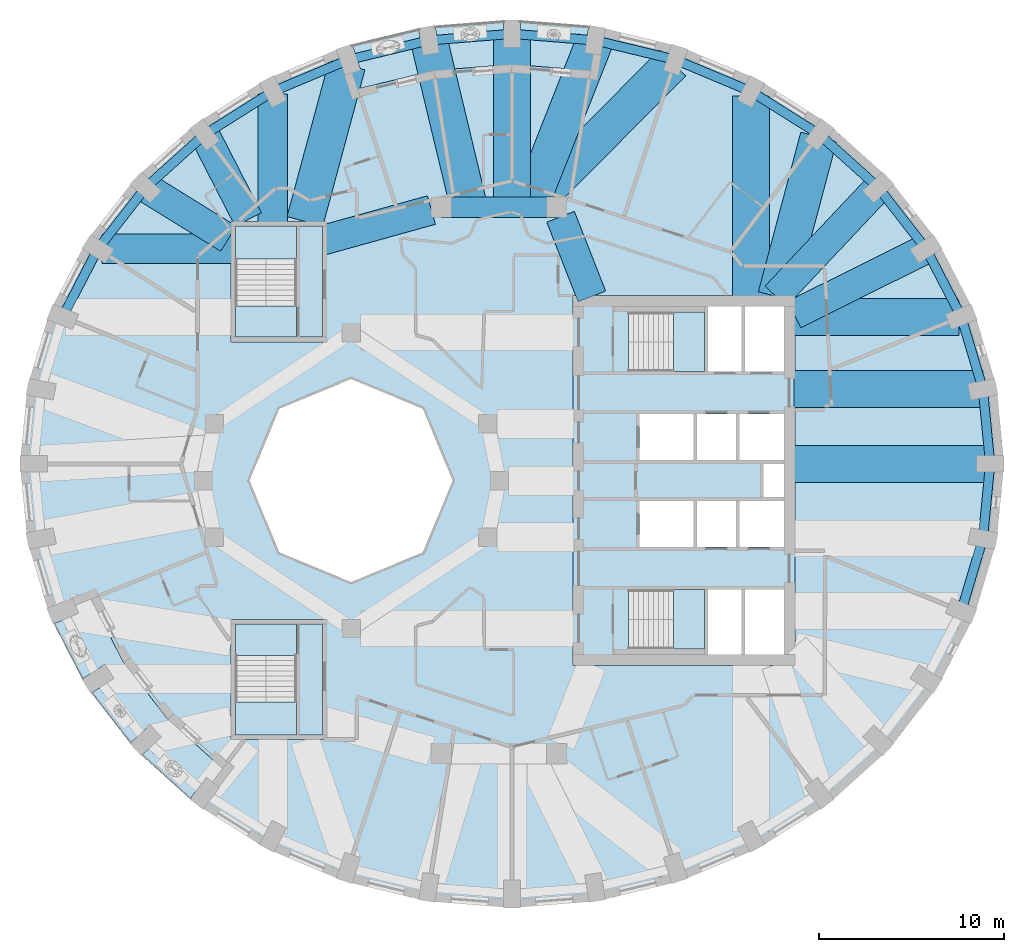
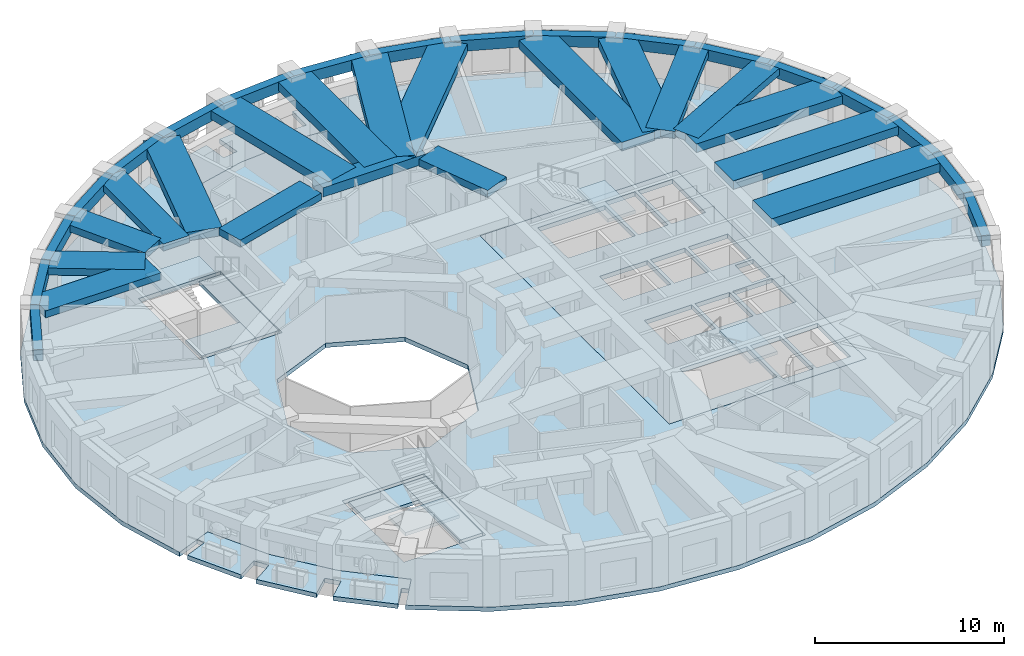
# One storey, part 2 of 12: 37 beams, 12 slabs, 4 elements without a shape of their own.
"""IFC4 building model written with IfcOpenShell, lengths in metres."""

from ifc_helpers import new_model, si_unit, direction, frame, origin, origin_2d, place, context, subcontext, project, spatial, polyline, rectangle, outline, extrude, material, layer, layer_set, material_profile, profile_set, type_object, element, aggregate, save


model = new_model("IFC4")

# Units and contexts
model_context = context("Model", 3, precision=1e-05, world=origin(), true_north=direction((0.0, 1.0)))
body_context = subcontext(model_context, "Body", "Model", "MODEL_VIEW")
ifc_project = project(units=[si_unit("LENGTHUNIT", "METRE"), si_unit("AREAUNIT", "SQUARE_METRE"), si_unit("VOLUMEUNIT", "CUBIC_METRE"), si_unit("PLANEANGLEUNIT", "RADIAN"), si_unit("MASSUNIT", "GRAM", prefix="KILO")], contexts=[model_context])

# Site, building, storey
site_placement = place(None, origin())
site = spatial("IfcSite", under=ifc_project, at=site_placement, CompositionType="ELEMENT")
building_placement = place(site_placement, origin())
building = spatial("IfcBuilding", under=site, at=building_placement, Name="Taillehof Tower", CompositionType="ELEMENT")
storey_placement = place(building_placement, frame((0.0, 0.0, 222.199951171875)))
storey = spatial("IfcBuildingStorey", under=building, at=storey_placement, Name="L63", CompositionType="ELEMENT", Elevation=222.199951171875)

# Beams
ifc_material_1 = material(Name="Concrete C50/60", Category="concrete")
ifc_material_profile_1 = material_profile(ifc_material_1, rectangle(XDim=1.10009765625, YDim=0.60009765625, at=origin_2d()), Name="RC 1100x600")
ifc_profile_set_1 = profile_set([ifc_material_profile_1], Name="Concrete C50/60")
beam_type_1 = type_object("IfcBeamType", Name="Mid-ring beam C50/60 1100x600", PredefinedType="BEAM", material=ifc_profile_set_1)
beam_1_placement = place(storey_placement, frame((3.125732421875, 14.772216796875, 2.719970703125), z_axis=(-1.0, 0.0, 0.0), x_axis=(0.0, -1.0, 0.0)))
element("IfcBeam", 1, at=beam_1_placement, inside=storey, type_object=beam_type_1, Name="Mid-ring beam MB01", PredefinedType="BEAM", context=body_context, shape_type="SweptSolid", body=[
    extrude(rectangle(XDim=1.10009765625, YDim=0.60009765625, at=origin_2d()), origin(), (0.0, 0.0, 1.0), 6.25146484375),
])
ifc_material_2 = material(Name="Concrete C50/60", Category="concrete")
ifc_material_profile_2 = material_profile(ifc_material_2, rectangle(XDim=1.60009765625, YDim=0.449951171875, at=origin_2d()), Name="RC 1600x450")
ifc_profile_set_2 = profile_set([ifc_material_profile_2], Name="Concrete C50/60")
beam_type_2 = type_object("IfcBeamType", Name="Radial band beam C50/60 1600x450", PredefinedType="BEAM", material=ifc_profile_set_2)
beam_2_placement = place(storey_placement, frame((23.086669921875, 12.52490234375, 2.795166015625), z_axis=(-0.895357082848, -0.445348957778, 0.0), x_axis=(0.445348957778, -0.895357082848, 0.0)))
element("IfcBeam", 2, at=beam_2_placement, inside=storey, type_object=beam_type_2, Name="Radial band beam RB04", PredefinedType="BEAM", context=body_context, shape_type="SweptSolid", body=[
    extrude(rectangle(XDim=1.60009765625, YDim=0.449951171875, at=origin_2d()), origin(), (0.0, 0.0, 1.0), 7.96484375),
])
beam_3_placement = place(storey_placement, frame((20.502197265625, 15.8447265625, 2.795166015625), z_axis=(-0.685451470964, -0.728118315217, 0.0), x_axis=(0.728118315217, -0.685451470964, 0.0)))
element("IfcBeam", 3, at=beam_3_placement, inside=storey, type_object=beam_type_2, Name="Radial band beam RB05", PredefinedType="BEAM", context=body_context, shape_type="SweptSolid", body=[
    extrude(rectangle(XDim=1.60009765625, YDim=0.449951171875, at=origin_2d()), origin(), (0.0, 0.0, 1.0), 8.07373046875),
])
beam_4_placement = place(storey_placement, frame((-12.22509765625, 20.9013671875, 2.795166015625), z_axis=(0.0, -1.0, 0.0), x_axis=(1.0, 0.0, 0.0)))
element("IfcBeam", 4, at=beam_4_placement, inside=storey, type_object=beam_type_2, Name="Radial band beam RB13", PredefinedType="BEAM", context=body_context, shape_type="SweptSolid", body=[
    extrude(rectangle(XDim=1.60009765625, YDim=0.449951171875, at=origin_2d()), origin(), (0.0, 0.0, 1.0), 6.951416015625),
])
beam_5_placement = place(storey_placement, frame((-15.916015625, 18.71044921875, 2.795166015625), z_axis=(0.456360793517, -0.889794822496, 0.0), x_axis=(0.889794822496, 0.456360793517, 0.0)))
element("IfcBeam", 5, at=beam_5_placement, inside=storey, type_object=beam_type_2, Name="Radial band beam RB14", PredefinedType="BEAM", context=body_context, shape_type="SweptSolid", body=[
    extrude(rectangle(XDim=1.60009765625, YDim=0.449951171875, at=origin_2d()), origin(), (0.0, 0.0, 1.0), 5.16455078125),
])
beam_6_placement = place(storey_placement, frame((-19.102294921875, 15.8447265625, 2.795166015625), z_axis=(0.850616081395, -0.525787297366, 0.0), x_axis=(0.525787297366, 0.850616081395, 0.0)))
element("IfcBeam", 6, at=beam_6_placement, inside=storey, type_object=beam_type_2, Name="Radial band beam RB15", PredefinedType="BEAM", context=body_context, shape_type="SweptSolid", body=[
    extrude(rectangle(XDim=1.60009765625, YDim=0.449951171875, at=origin_2d()), origin(), (0.0, 0.0, 1.0), 5.260498046875),
])
beam_7_placement = place(storey_placement, frame((-21.47021484375, 12.52490234375, 2.795166015625), z_axis=(1.0, 0.0, 0.0), x_axis=(0.0, 1.0, 0.0)))
element("IfcBeam", 7, at=beam_7_placement, inside=storey, type_object=beam_type_2, Name="Radial band beam RB16", PredefinedType="BEAM", context=body_context, shape_type="SweptSolid", body=[
    extrude(rectangle(XDim=1.60009765625, YDim=0.449951171875, at=origin_2d()), origin(), (0.0, 0.0, 1.0), 7.020263671875),
])
beam_8_placement = place(storey_placement, frame((3.32666015625, 14.26025390625, 2.795166015625), z_axis=(0.365588707223, -0.930776502255, 0.0), x_axis=(0.930776502255, 0.365588707223, 0.0)))
element("IfcBeam", 8, at=beam_8_placement, inside=storey, type_object=beam_type_2, Name="Inner band beam IB205", PredefinedType="BEAM", context=body_context, shape_type="SweptSolid", body=[
    extrude(rectangle(XDim=1.60009765625, YDim=0.449951171875, at=origin_2d()), origin(), (0.0, 0.0, 1.0), 4.627197265625),
])
beam_9_placement = place(storey_placement, frame((-3.655517578125, 14.624755859375, 2.795166015625), z_axis=(-0.963459369536, -0.267854518821, 0.0), x_axis=(0.267854518821, -0.963459369536, 0.0)))
element("IfcBeam", 9, at=beam_9_placement, inside=storey, type_object=beam_type_2, Name="Inner band beam IB206", PredefinedType="BEAM", context=body_context, shape_type="SweptSolid", body=[
    extrude(rectangle(XDim=1.60009765625, YDim=0.449951171875, at=origin_2d()), origin(), (0.0, 0.0, 1.0), 6.096923828125),
])
ifc_material_3 = material(Name="Concrete C50/60", Category="concrete")
ifc_material_profile_3 = material_profile(ifc_material_3, rectangle(XDim=2.0, YDim=0.550048828125, at=origin_2d()), Name="RC 2000x550")
ifc_profile_set_3 = profile_set([ifc_material_profile_3], Name="Concrete C50/60")
beam_type_3 = type_object("IfcBeamType", Name="Radial band beam C50/60 2000x550", PredefinedType="BEAM", material=ifc_profile_set_3)
beam_10_placement = place(storey_placement, frame((26.550048828125, 0.89990234375, 2.7451171875), z_axis=(-1.0, 0.0, 0.0), x_axis=(0.0, -1.0, 0.0)))
element("IfcBeam", 10, at=beam_10_placement, inside=storey, type_object=beam_type_3, Name="Radial band beam RB01", PredefinedType="BEAM", context=body_context, shape_type="SweptSolid", body=[
    extrude(rectangle(XDim=2.0, YDim=0.550048828125, at=origin_2d()), origin(), (0.0, 0.0, 1.0), 10.60009765625),
])
beam_11_placement = place(storey_placement, frame((26.1572265625, 4.937255859375, 2.7451171875), z_axis=(-1.0, 0.0, 0.0), x_axis=(0.0, -1.0, 0.0)))
element("IfcBeam", 11, at=beam_11_placement, inside=storey, type_object=beam_type_3, Name="Radial band beam RB02", PredefinedType="BEAM", context=body_context, shape_type="SweptSolid", body=[
    extrude(rectangle(XDim=2.0, YDim=0.550048828125, at=origin_2d()), origin(), (0.0, 0.0, 1.0), 10.207275390625),
])
beam_12_placement = place(storey_placement, frame((24.856201171875, 8.85205078125, 2.7451171875), z_axis=(-1.0, 0.0, 0.0), x_axis=(0.0, -1.0, 0.0)))
element("IfcBeam", 12, at=beam_12_placement, inside=storey, type_object=beam_type_3, Name="Radial band beam RB03", PredefinedType="BEAM", context=body_context, shape_type="SweptSolid", body=[
    extrude(rectangle(XDim=2.0, YDim=0.550048828125, at=origin_2d()), origin(), (0.0, 0.0, 1.0), 8.90625),
])
beam_13_placement = place(storey_placement, frame((17.28076171875, 18.577880859375, 2.7451171875), z_axis=(-0.256969711091, -0.966419457369, 0.0), x_axis=(0.966419457369, -0.256969711091, 0.0)))
element("IfcBeam", 13, at=beam_13_placement, inside=storey, type_object=beam_type_3, Name="Radial band beam RB06", PredefinedType="BEAM", context=body_context, shape_type="SweptSolid", body=[
    extrude(rectangle(XDim=2.0, YDim=0.550048828125, at=origin_2d()), origin(), (0.0, 0.0, 1.0), 8.926025390625),
])
beam_14_placement = place(storey_placement, frame((13.625, 20.797607421875, 2.7451171875), z_axis=(0.0, -1.0, 0.0), x_axis=(1.0, 0.0, 0.0)))
element("IfcBeam", 14, at=beam_14_placement, inside=storey, type_object=beam_type_3, Name="Radial band beam RB07", PredefinedType="BEAM", context=body_context, shape_type="SweptSolid", body=[
    extrude(rectangle(XDim=2.0, YDim=0.550048828125, at=origin_2d()), origin(), (0.0, 0.0, 1.0), 10.84765625),
])
beam_15_placement = place(storey_placement, frame((9.384765625, 22.590087890625, 2.7451171875), z_axis=(-0.704433609475, -0.709769885133, 0.0), x_axis=(0.709769885133, -0.704433609475, 0.0)))
element("IfcBeam", 15, at=beam_15_placement, inside=storey, type_object=beam_type_3, Name="Radial band beam RB08", PredefinedType="BEAM", context=body_context, shape_type="SweptSolid", body=[
    extrude(rectangle(XDim=2.0, YDim=0.550048828125, at=origin_2d()), origin(), (0.0, 0.0, 1.0), 10.79736328125),
])
beam_16_placement = place(storey_placement, frame((5.188720703125, 23.796875, 2.7451171875), z_axis=(-0.367222105753, -0.930133283485, 0.0), x_axis=(0.930133283485, -0.367222105753, 0.0)))
element("IfcBeam", 16, at=beam_16_placement, inside=storey, type_object=beam_type_3, Name="Radial band beam RB09", PredefinedType="BEAM", context=body_context, shape_type="SweptSolid", body=[
    extrude(rectangle(XDim=2.0, YDim=0.550048828125, at=origin_2d()), origin(), (0.0, 0.0, 1.0), 9.70263671875),
])
beam_17_placement = place(storey_placement, frame((0.699951171875, 24.14990234375, 2.7451171875), z_axis=(0.0, -1.0, 0.0), x_axis=(1.0, 0.0, 0.0)))
element("IfcBeam", 17, at=beam_17_placement, inside=storey, type_object=beam_type_3, Name="Radial band beam RB10", PredefinedType="BEAM", context=body_context, shape_type="SweptSolid", body=[
    extrude(rectangle(XDim=2.0, YDim=0.550048828125, at=origin_2d()), origin(), (0.0, 0.0, 1.0), 9.377685546875),
])
beam_18_placement = place(storey_placement, frame((-3.788818359375, 23.796875, 2.7451171875), z_axis=(0.233084395558, -0.972456510363, 0.0), x_axis=(0.972456510363, 0.233084395558, 0.0)))
element("IfcBeam", 18, at=beam_18_placement, inside=storey, type_object=beam_type_3, Name="Radial band beam RB11", PredefinedType="BEAM", context=body_context, shape_type="SweptSolid", body=[
    extrude(rectangle(XDim=2.0, YDim=0.550048828125, at=origin_2d()), origin(), (0.0, 0.0, 1.0), 9.2802734375),
])
beam_19_placement = place(storey_placement, frame((-8.2177734375, 22.464111328125, 2.7451171875), z_axis=(-0.260346436551, -0.965515268121, 0.0), x_axis=(0.965515268121, -0.260346436551, 0.0)))
element("IfcBeam", 19, at=beam_19_placement, inside=storey, type_object=beam_type_3, Name="Radial band beam RB12", PredefinedType="BEAM", context=body_context, shape_type="SweptSolid", body=[
    extrude(rectangle(XDim=2.0, YDim=0.550048828125, at=origin_2d()), origin(), (0.0, 0.0, 1.0), 8.755859375),
])
ifc_material_4 = material(Name="Concrete C50/60", Category="concrete")
ifc_material_profile_4 = material_profile(ifc_material_4, rectangle(XDim=0.5, YDim=0.699951171875, at=origin_2d()), Name="RC 500x700")
ifc_profile_set_4 = profile_set([ifc_material_profile_4], Name="Concrete C50/60")
beam_type_4 = type_object("IfcBeamType", Name="Spandrel beam C50/60 500x700", PredefinedType="SPANDREL", material=ifc_profile_set_4)
beam_20_placement = place(storey_placement, frame((26.550048828125, 0.89990234375, 2.670166015625), z_axis=(-0.096839674059, 0.995299993735, 0.0), x_axis=(-0.995299993735, -0.096839674059, 0.0)))
element("IfcBeam", 20, at=beam_20_placement, inside=storey, type_object=beam_type_4, Name="Spandrel beam SB01", PredefinedType="SPANDREL", context=body_context, shape_type="SweptSolid", body=[
    extrude(rectangle(XDim=0.5, YDim=0.699951171875, at=origin_2d()), origin(), (0.0, 0.0, 1.0), 4.056396484375),
])
beam_21_placement = place(storey_placement, frame((26.1572265625, 4.937255859375, 2.670166015625), z_axis=(-0.285510458946, 0.9583755933, 0.0), x_axis=(-0.9583755933, -0.285510458946, 0.0)))
element("IfcBeam", 21, at=beam_21_placement, inside=storey, type_object=beam_type_4, Name="Spandrel beam SB02", PredefinedType="SPANDREL", context=body_context, shape_type="SweptSolid", body=[
    extrude(rectangle(XDim=0.5, YDim=0.699951171875, at=origin_2d()), origin(), (0.0, 0.0, 1.0), 4.084716796875),
])
beam_22_placement = place(storey_placement, frame((24.990966796875, 8.85205078125, 2.670166015625), z_axis=(-0.460289604274, 0.887768821371, 0.0), x_axis=(-0.887768821371, -0.460289604274, 0.0)))
element("IfcBeam", 22, at=beam_22_placement, inside=storey, type_object=beam_type_4, Name="Spandrel beam SB03", PredefinedType="SPANDREL", context=body_context, shape_type="SweptSolid", body=[
    extrude(rectangle(XDim=0.5, YDim=0.699951171875, at=origin_2d()), origin(), (0.0, 0.0, 1.0), 4.13720703125),
])
beam_23_placement = place(storey_placement, frame((23.086669921875, 12.52490234375, 2.670166015625), z_axis=(-0.614294081938, 0.789077170432, 0.0), x_axis=(-0.789077170432, -0.614294081938, 0.0)))
element("IfcBeam", 23, at=beam_23_placement, inside=storey, type_object=beam_type_4, Name="Spandrel beam SB04", PredefinedType="SPANDREL", context=body_context, shape_type="SweptSolid", body=[
    extrude(rectangle(XDim=0.5, YDim=0.699951171875, at=origin_2d()), origin(), (0.0, 0.0, 1.0), 4.207275390625),
])
beam_24_placement = place(storey_placement, frame((20.502197265625, 15.8447265625, 2.670166015625), z_axis=(-0.743492416006, 0.668744366213, 0.0), x_axis=(-0.668744366213, -0.743492416006, 0.0)))
element("IfcBeam", 24, at=beam_24_placement, inside=storey, type_object=beam_type_4, Name="Spandrel beam SB05", PredefinedType="SPANDREL", context=body_context, shape_type="SweptSolid", body=[
    extrude(rectangle(XDim=0.5, YDim=0.699951171875, at=origin_2d()), origin(), (0.0, 0.0, 1.0), 4.28515625),
])
beam_25_placement = place(storey_placement, frame((17.316162109375, 18.71044921875, 2.670166015625), z_axis=(-0.846166475687, 0.532918657417, 0.0), x_axis=(-0.532918657417, -0.846166475687, 0.0)))
element("IfcBeam", 25, at=beam_25_placement, inside=storey, type_object=beam_type_4, Name="Spandrel beam SB06", PredefinedType="SPANDREL", context=body_context, shape_type="SweptSolid", body=[
    extrude(rectangle(XDim=0.5, YDim=0.699951171875, at=origin_2d()), origin(), (0.0, 0.0, 1.0), 4.3623046875),
])
beam_26_placement = place(storey_placement, frame((13.625, 21.03515625, 2.670166015625), z_axis=(-0.92218550199, 0.386747850569, 0.0), x_axis=(-0.386747850569, -0.92218550199, 0.0)))
element("IfcBeam", 26, at=beam_26_placement, inside=storey, type_object=beam_type_4, Name="Spandrel beam SB07", PredefinedType="SPANDREL", context=body_context, shape_type="SweptSolid", body=[
    extrude(rectangle(XDim=0.5, YDim=0.699951171875, at=origin_2d()), origin(), (0.0, 0.0, 1.0), 4.42822265625),
])
beam_27_placement = place(storey_placement, frame((9.541259765625, 22.747802734375, 2.670166015625), z_axis=(-0.972160640613, 0.234315361943, 0.0), x_axis=(-0.234315361943, -0.972160640613, 0.0)))
element("IfcBeam", 27, at=beam_27_placement, inside=storey, type_object=beam_type_4, Name="Spandrel beam SB08", PredefinedType="SPANDREL", context=body_context, shape_type="SweptSolid", body=[
    extrude(rectangle(XDim=0.5, YDim=0.699951171875, at=origin_2d()), origin(), (0.0, 0.0, 1.0), 4.477294921875),
])
for number, where, z_axis, x_axis, name in (
    (28, (5.188720703125, 23.796875, 2.670166015625), (-0.996921613963, 0.078404691275, 0.0), (-0.078404691275, -0.996921613963, 0.0), "Spandrel beam SB09"),
    (29, (0.699951171875, 24.14990234375, 2.670166015625), (-0.996921613963, -0.078404691275, 0.0), (0.078404691275, -0.996921613963, 0.0), "Spandrel beam SB10"),
):
    element("IfcBeam", number, at=place(storey_placement, frame(where, z_axis=z_axis, x_axis=x_axis)), inside=storey, type_object=beam_type_4, Name=name, PredefinedType="SPANDREL", context=body_context, shape_type="SweptSolid", body=[
        extrude(rectangle(XDim=0.5, YDim=0.699951171875, at=origin_2d()), origin(), (0.0, 0.0, 1.0), 4.502685546875),
    ])
beam_28_placement = place(storey_placement, frame((-3.788818359375, 23.796875, 2.670166015625), z_axis=(-0.972157646478, -0.234327784087, 0.0), x_axis=(0.234327784087, -0.972157646478, 0.0)))
element("IfcBeam", 30, at=beam_28_placement, inside=storey, type_object=beam_type_4, Name="Spandrel beam SB11", PredefinedType="SPANDREL", context=body_context, shape_type="SweptSolid", body=[
    extrude(rectangle(XDim=0.5, YDim=0.699951171875, at=origin_2d()), origin(), (0.0, 0.0, 1.0), 4.47705078125),
])
beam_29_placement = place(storey_placement, frame((-8.14111328125, 22.747802734375, 2.670166015625), z_axis=(-0.922193747603, -0.386728188632, 0.0), x_axis=(0.386728188632, -0.922193747603, 0.0)))
element("IfcBeam", 31, at=beam_29_placement, inside=storey, type_object=beam_type_4, Name="Spandrel beam SB12", PredefinedType="SPANDREL", context=body_context, shape_type="SweptSolid", body=[
    extrude(rectangle(XDim=0.5, YDim=0.699951171875, at=origin_2d()), origin(), (0.0, 0.0, 1.0), 4.428466796875),
])
beam_30_placement = place(storey_placement, frame((-12.22509765625, 21.03515625, 2.670166015625), z_axis=(-0.846150579775, -0.532943896059, 0.0), x_axis=(0.532943896059, -0.846150579775, 0.0)))
element("IfcBeam", 32, at=beam_30_placement, inside=storey, type_object=beam_type_4, Name="Spandrel beam SB13", PredefinedType="SPANDREL", context=body_context, shape_type="SweptSolid", body=[
    extrude(rectangle(XDim=0.5, YDim=0.699951171875, at=origin_2d()), origin(), (0.0, 0.0, 1.0), 4.362060546875),
])
beam_31_placement = place(storey_placement, frame((-15.916015625, 18.71044921875, 2.670166015625), z_axis=(-0.743517893617, -0.668716039789, 0.0), x_axis=(0.668716039789, -0.743517893617, 0.0)))
element("IfcBeam", 33, at=beam_31_placement, inside=storey, type_object=beam_type_4, Name="Spandrel beam SB14", PredefinedType="SPANDREL", context=body_context, shape_type="SweptSolid", body=[
    extrude(rectangle(XDim=0.5, YDim=0.699951171875, at=origin_2d()), origin(), (0.0, 0.0, 1.0), 4.285400390625),
])
beam_32_placement = place(storey_placement, frame((-19.102294921875, 15.8447265625, 2.670166015625), z_axis=(-0.614294081938, -0.789077170432, 0.0), x_axis=(0.789077170432, -0.614294081938, 0.0)))
element("IfcBeam", 34, at=beam_32_placement, inside=storey, type_object=beam_type_4, Name="Spandrel beam SB15", PredefinedType="SPANDREL", context=body_context, shape_type="SweptSolid", body=[
    extrude(rectangle(XDim=0.5, YDim=0.699951171875, at=origin_2d()), origin(), (0.0, 0.0, 1.0), 4.207275390625),
])
beam_33_placement = place(storey_placement, frame((-21.686767578125, 12.52490234375, 2.670166015625), z_axis=(-0.460289604274, -0.887768821371, 0.0), x_axis=(0.887768821371, -0.460289604274, 0.0)))
element("IfcBeam", 35, at=beam_33_placement, inside=storey, type_object=beam_type_4, Name="Spandrel beam SB16", PredefinedType="SPANDREL", context=body_context, shape_type="SweptSolid", body=[
    extrude(rectangle(XDim=0.5, YDim=0.699951171875, at=origin_2d()), origin(), (0.0, 0.0, 1.0), 4.13720703125),
])
beam_34_placement = place(storey_placement, frame((24.990966796875, -7.052001953125, 2.670166015625), z_axis=(0.285510458946, 0.9583755933, 0.0), x_axis=(-0.9583755933, 0.285510458946, 0.0)))
element("IfcBeam", 36, at=beam_34_placement, inside=storey, type_object=beam_type_4, Name="Spandrel beam SB35", PredefinedType="SPANDREL", context=body_context, shape_type="SweptSolid", body=[
    extrude(rectangle(XDim=0.5, YDim=0.699951171875, at=origin_2d()), origin(), (0.0, 0.0, 1.0), 4.084716796875),
])
beam_35_placement = place(storey_placement, frame((26.1572265625, -3.13720703125, 2.670166015625), z_axis=(0.096845475428, 0.995299429262, 0.0), x_axis=(-0.995299429262, 0.096845475428, 0.0)))
element("IfcBeam", 37, at=beam_35_placement, inside=storey, type_object=beam_type_4, Name="Spandrel beam SB36", PredefinedType="SPANDREL", context=body_context, shape_type="SweptSolid", body=[
    extrude(rectangle(XDim=0.5, YDim=0.699951171875, at=origin_2d()), origin(), (0.0, 0.0, 1.0), 4.05615234375),
])

# Slabs
ifc_material_5 = material(Name="Concrete C40/50", Category="concrete")
ifc_layer_1 = layer(ifc_material_5, 0.280029296875)
ifc_layer_set_1 = layer_set([ifc_layer_1], Name="Balcony slab 280")
slab_type_1 = type_object("IfcSlabType", Name="Balcony slab 280", PredefinedType="USERDEFINED", material=ifc_layer_set_1)
slab_1_placement = place(storey_placement, frame((0.0, 0.0, -0.280029296875)))
element("IfcSlab", 38, at=slab_1_placement, inside=storey, type_object=slab_type_1, Name="Balcony L63 pocket 2", ObjectType="BALCONY", PredefinedType="USERDEFINED", context=body_context, shape_type="SweptSolid", body=[
    extrude(outline(polyline([(-7.64892578125, 21.17236328125), (-7.929931640625, 22.02783203125), (-7.479736328125, 22.17578125), (-7.935791015625, 23.564208984375), (-4.345458984375, 24.432373046875), (-4.115478515625, 22.9853515625), (-3.2265625, 23.126708984375), (-3.45654296875, 24.572021484375), (0.25, 24.864501953125), (0.25, 23.39990234375), (1.14990234375, 23.39990234375), (1.14990234375, 24.864501953125), (4.8564453125, 24.572021484375), (4.62646484375, 23.126708984375), (5.08349609375, 23.05419921875), (4.94189453125, 22.165283203125), (0.699951171875, 22.5), (-3.5419921875, 22.165283203125), (-7.64892578125, 21.17236328125)])), origin(), (0.0, 0.0, 1.0), 0.280029296875),
])
slab_2_placement = place(storey_placement, frame((0.0, 0.0, -0.280029296875)))
element("IfcSlab", 39, at=slab_2_placement, inside=storey, type_object=slab_type_1, Name="Balcony L63 pocket 6", ObjectType="BALCONY", PredefinedType="USERDEFINED", context=body_context, shape_type="SweptSolid", body=[
    extrude(outline(polyline([(-14.949462890625, -15.571533203125), (-15.493408203125, -16.289794921875), (-15.822021484375, -16.041015625), (-16.70556640625, -17.207763671875), (-19.31298828125, -14.855224609375), (-18.24658203125, -13.863525390625), (-18.859619140625, -13.20458984375), (-19.93017578125, -14.2001953125), (-22.0380859375, -11.484130859375), (-20.8125, -10.69970703125), (-21.297607421875, -9.941650390625), (-22.528076171875, -10.72900390625), (-24.076416015625, -7.73291015625), (-22.72705078125, -7.188720703125), (-22.9052734375, -6.74755859375), (-22.070068359375, -6.41064453125), (-20.314697265625, -9.806396484375), (-17.91943359375, -12.892578125), (-14.949462890625, -15.571533203125)])), origin(), (0.0, 0.0, 1.0), 0.280029296875),
])
ifc_material_6 = material(Name="Concrete C40/50", Category="concrete")
ifc_layer_2 = layer(ifc_material_6, 0.280029296875)
ifc_layer_set_2 = layer_set([ifc_layer_2], Name="Core floor slab C40/50 280")
slab_type_2 = type_object("IfcSlabType", Name="Core floor slab C40/50 280", PredefinedType="FLOOR", material=ifc_layer_set_2)
slab_3_placement = place(storey_placement, frame((0.0, 0.0, -0.280029296875)))
element("IfcSlab", 40, at=slab_3_placement, inside=storey, type_object=slab_type_2, Name="Core floor L63", PredefinedType="FLOOR", context=body_context, shape_type="SweptSolid", body=[
    extrude(outline(polyline([(4.0, -10.0), (4.0, 10.0), (16.0, 10.0), (16.0, -10.0), (4.0, -10.0)]), holes=[polyline([(11.10009765625, -9.10009765625), (11.10009765625, -5.89990234375), (7.00048828125, -5.89990234375), (7.00048828125, -9.10009765625), (11.10009765625, -9.10009765625)]), polyline([(10.5, -3.60009765625), (10.5, -1.10009765625), (7.60009765625, -1.10009765625), (7.60009765625, -3.60009765625), (10.5, -3.60009765625)]), polyline([(12.800048828125, -3.60009765625), (12.800048828125, -1.10009765625), (10.699951171875, -1.10009765625), (10.699951171875, -3.60009765625), (12.800048828125, -3.60009765625)]), polyline([(10.5, 3.60009765625), (7.60009765625, 3.60009765625), (7.60009765625, 1.10009765625), (10.5, 1.10009765625), (10.5, 3.60009765625)]), polyline([(12.800048828125, 1.10009765625), (12.800048828125, 3.60009765625), (10.699951171875, 3.60009765625), (10.699951171875, 1.10009765625), (12.800048828125, 1.10009765625)]), polyline([(11.10009765625, 5.89990234375), (11.10009765625, 9.10009765625), (7.00048828125, 9.10009765625), (7.00048828125, 5.89990234375), (11.10009765625, 5.89990234375)]), polyline([(13.10009765625, 9.39990234375), (11.300048828125, 9.39990234375), (11.300048828125, 5.89990234375), (13.10009765625, 5.89990234375), (13.10009765625, 9.39990234375)]), polyline([(13.10009765625, -9.39990234375), (13.10009765625, -5.89990234375), (11.300048828125, -5.89990234375), (11.300048828125, -9.39990234375), (13.10009765625, -9.39990234375)]), polyline([(15.39990234375, -9.39990234375), (15.39990234375, -5.89990234375), (13.300048828125, -5.89990234375), (13.300048828125, -9.39990234375), (15.39990234375, -9.39990234375)]), polyline([(15.39990234375, -3.60009765625), (15.39990234375, -1.10009765625), (13.0, -1.10009765625), (13.0, -3.60009765625), (15.39990234375, -3.60009765625)]), polyline([(15.39990234375, -0.89990234375), (15.39990234375, 0.89990234375), (14.300048828125, 0.89990234375), (14.300048828125, -0.89990234375), (15.39990234375, -0.89990234375)]), polyline([(15.39990234375, 1.10009765625), (15.39990234375, 3.60009765625), (13.0, 3.60009765625), (13.0, 1.10009765625), (15.39990234375, 1.10009765625)]), polyline([(15.39990234375, 5.89990234375), (15.39990234375, 9.39990234375), (13.300048828125, 9.39990234375), (13.300048828125, 5.89990234375), (15.39990234375, 5.89990234375)])]), origin(), (0.0, 0.0, 1.0), 0.280029296875),
])
ifc_material_7 = material(Name="Concrete C40/50", Category="concrete")
ifc_layer_3 = layer(ifc_material_7, 0.280029296875)
ifc_layer_set_3 = layer_set([ifc_layer_3], Name="Floor slab 280")
slab_type_3 = type_object("IfcSlabType", Name="Floor slab 280", PredefinedType="FLOOR", material=ifc_layer_set_3)
slab_4_placement = place(storey_placement, frame((0.0, 0.0, -0.280029296875)))
element("IfcSlab", 41, at=slab_4_placement, inside=storey, type_object=slab_type_3, Name="Floor slab L63", PredefinedType="FLOOR", context=body_context, shape_type="SweptSolid", body=[
    extrude(outline(polyline([(27.300048828125, 0.89990234375), (26.89599609375, 5.067626953125), (25.69580078125, 9.1083984375), (23.736328125, 12.89990234375), (21.076904296875, 16.326904296875), (17.798095703125, 19.28515625), (14.0, 21.6845703125), (9.797607421875, 23.45263671875), (5.319091796875, 24.535400390625), (4.94189453125, 22.165283203125), (0.699951171875, 22.5), (-3.5419921875, 22.165283203125), (-7.64892578125, 21.17236328125), (-8.397705078125, 23.45263671875), (-12.60009765625, 21.6845703125), (-16.398193359375, 19.28515625), (-19.6767578125, 16.326904296875), (-22.336181640625, 12.89990234375), (-24.2958984375, 9.1083984375), (-25.495849609375, 5.067626953125), (-25.89990234375, 0.89990234375), (-25.495849609375, -3.267578125), (-24.2958984375, -7.30859375), (-22.070068359375, -6.41064453125), (-20.314697265625, -9.806396484375), (-17.919189453125, -12.892578125), (-14.949462890625, -15.571533203125), (-16.398193359375, -17.485107421875), (-12.60009765625, -19.884521484375), (-8.397705078125, -21.652587890625), (-3.9189453125, -22.7353515625), (0.699951171875, -23.10009765625), (5.319091796875, -22.7353515625), (9.797607421875, -21.652587890625), (14.0, -19.884521484375), (17.798095703125, -17.485107421875), (21.076904296875, -14.52685546875), (23.736328125, -11.10009765625), (25.69580078125, -7.30859375), (26.89599609375, -3.267578125), (27.300048828125, 0.89990234375)]), holes=[polyline([(-14.5, -7.5), (-9.5, -7.5), (-9.5, -14.0), (-14.5, -14.0), (-14.5, -7.5)]), polyline([(-8.0, -5.5), (-11.88916015625, -3.88916015625), (-13.5, 0.0), (-11.88916015625, 3.88916015625), (-8.0, 5.5), (-4.11083984375, 3.88916015625), (-2.5, 0.0), (-4.11083984375, -3.88916015625), (-8.0, -5.5)]), polyline([(16.0, 10.0), (16.0, -10.0), (4.0, -10.0), (4.0, 10.0), (16.0, 10.0)]), polyline([(-14.5, 14.0), (-9.5, 14.0), (-9.5, 7.5), (-14.5, 7.5), (-14.5, 14.0)])]), origin(), (0.0, 0.0, 1.0), 0.280029296875),
])

# Stair, slab
ifc_material_8 = material(Name="Concrete C40/50", Category="concrete")
stair_type = type_object("IfcStairType", Name="Exit stair half-turn", PredefinedType="HALF_TURN_STAIR", material=ifc_material_8)
stair_1_placement = place(storey_placement, origin())
stair_1 = element("IfcStair", 42, at=stair_1_placement, inside=storey, type_object=stair_type, Name="Exit stair S1", PredefinedType="HALF_TURN_STAIR")
ifc_material_9 = material(Name="Concrete C40/50", Category="concrete")
ifc_layer_4 = layer(ifc_material_9, 0.2099609375)
ifc_layer_set_4 = layer_set([ifc_layer_4], Name="Stair landing C40/50 210")
slab_type_4 = type_object("IfcSlabType", Name="Stair landing C40/50 210", PredefinedType="LANDING", material=ifc_layer_set_4)
slab_5_placement = place(storey_placement, frame((0.0, 0.0, 1.43994140625)))
slab_5 = element("IfcSlab", 43, at=slab_5_placement, type_object=slab_type_4, Name="S1 landing 1", PredefinedType="LANDING", context=body_context, shape_type="SweptSolid", body=[
    extrude(outline(polyline([(9.429931640625, 5.89990234375), (11.10009765625, 5.89990234375), (11.10009765625, 9.10009765625), (9.429931640625, 9.10009765625), (9.429931640625, 5.89990234375)])), origin(), (0.0, 0.0, 1.0), 0.210205078125),
])
aggregate(stair_1, [slab_5])

stair_2_placement = place(storey_placement, origin())
stair_2 = element("IfcStair", 44, at=stair_2_placement, inside=storey, type_object=stair_type, Name="Exit stair S2", PredefinedType="HALF_TURN_STAIR")
slab_6_placement = place(storey_placement, frame((0.0, 0.0, 1.43994140625)))
slab_6 = element("IfcSlab", 45, at=slab_6_placement, type_object=slab_type_4, Name="S2 landing 1", PredefinedType="LANDING", context=body_context, shape_type="SweptSolid", body=[
    extrude(outline(polyline([(9.429931640625, -5.89990234375), (11.10009765625, -5.89990234375), (11.10009765625, -9.10009765625), (9.429931640625, -9.10009765625), (9.429931640625, -5.89990234375)])), origin(), (0.0, 0.0, 1.0), 0.210205078125),
])
aggregate(stair_2, [slab_6])

stair_3_placement = place(storey_placement, origin())
stair_3 = element("IfcStair", 46, at=stair_3_placement, inside=storey, type_object=stair_type, Name="Exit stair S3", PredefinedType="HALF_TURN_STAIR")
slab_7_placement = place(storey_placement, frame((0.0, 0.0, 1.43994140625)))
slab_7 = element("IfcSlab", 47, at=slab_7_placement, type_object=slab_type_4, Name="S3 landing 1", PredefinedType="LANDING", context=body_context, shape_type="SweptSolid", body=[
    extrude(outline(polyline([(-14.25, 11.969970703125), (-14.25, 13.75), (-10.949951171875, 13.75), (-10.949951171875, 11.969970703125), (-14.25, 11.969970703125)])), origin(), (0.0, 0.0, 1.0), 0.210205078125),
])
aggregate(stair_3, [slab_7])

stair_4_placement = place(storey_placement, origin())
stair_4 = element("IfcStair", 48, at=stair_4_placement, inside=storey, type_object=stair_type, Name="Exit stair S4", PredefinedType="HALF_TURN_STAIR")
slab_8_placement = place(storey_placement, frame((0.0, 0.0, 1.43994140625)))
slab_8 = element("IfcSlab", 49, at=slab_8_placement, type_object=slab_type_4, Name="S4 landing 1", PredefinedType="LANDING", context=body_context, shape_type="SweptSolid", body=[
    extrude(outline(polyline([(-14.25, -11.969970703125), (-14.25, -13.75), (-10.949951171875, -13.75), (-10.949951171875, -11.969970703125), (-14.25, -11.969970703125)])), origin(), (0.0, 0.0, 1.0), 0.210205078125),
])
aggregate(stair_4, [slab_8])

# Slabs
slab_9_placement = place(storey_placement, frame((0.0, 0.0, -0.2099609375)))
element("IfcSlab", 50, at=slab_9_placement, inside=storey, type_object=slab_type_4, Name="Stair S3 floor landing", PredefinedType="LANDING", context=body_context, shape_type="SweptSolid", body=[
    extrude(outline(polyline([(-14.25, 7.75), (-14.25, 9.449951171875), (-10.949951171875, 9.449951171875), (-10.949951171875, 7.75), (-14.25, 7.75)])), origin(), (0.0, 0.0, 1.0), 0.2099609375),
])
slab_10_placement = place(storey_placement, frame((0.0, 0.0, -0.2099609375)))
element("IfcSlab", 51, at=slab_10_placement, inside=storey, type_object=slab_type_4, Name="Stair lobby S3 floor", PredefinedType="LANDING", context=body_context, shape_type="SweptSolid", body=[
    extrude(outline(polyline([(-10.949951171875, 7.75), (-9.550048828125, 7.75), (-9.550048828125, 13.75), (-10.949951171875, 13.75), (-10.949951171875, 7.75)])), origin(), (0.0, 0.0, 1.0), 0.2099609375),
])
slab_11_placement = place(storey_placement, frame((0.0, 0.0, -0.2099609375)))
element("IfcSlab", 52, at=slab_11_placement, inside=storey, type_object=slab_type_4, Name="Stair S4 floor landing", PredefinedType="LANDING", context=body_context, shape_type="SweptSolid", body=[
    extrude(outline(polyline([(-14.25, -7.75), (-14.25, -9.449951171875), (-10.949951171875, -9.449951171875), (-10.949951171875, -7.75), (-14.25, -7.75)])), origin(), (0.0, 0.0, 1.0), 0.2099609375),
])
slab_12_placement = place(storey_placement, frame((0.0, 0.0, -0.2099609375)))
element("IfcSlab", 53, at=slab_12_placement, inside=storey, type_object=slab_type_4, Name="Stair lobby S4 floor", PredefinedType="LANDING", context=body_context, shape_type="SweptSolid", body=[
    extrude(outline(polyline([(-10.949951171875, -13.75), (-9.550048828125, -13.75), (-9.550048828125, -7.75), (-10.949951171875, -7.75), (-10.949951171875, -13.75)])), origin(), (0.0, 0.0, 1.0), 0.2099609375),
])

save(model, "model.ifc")
